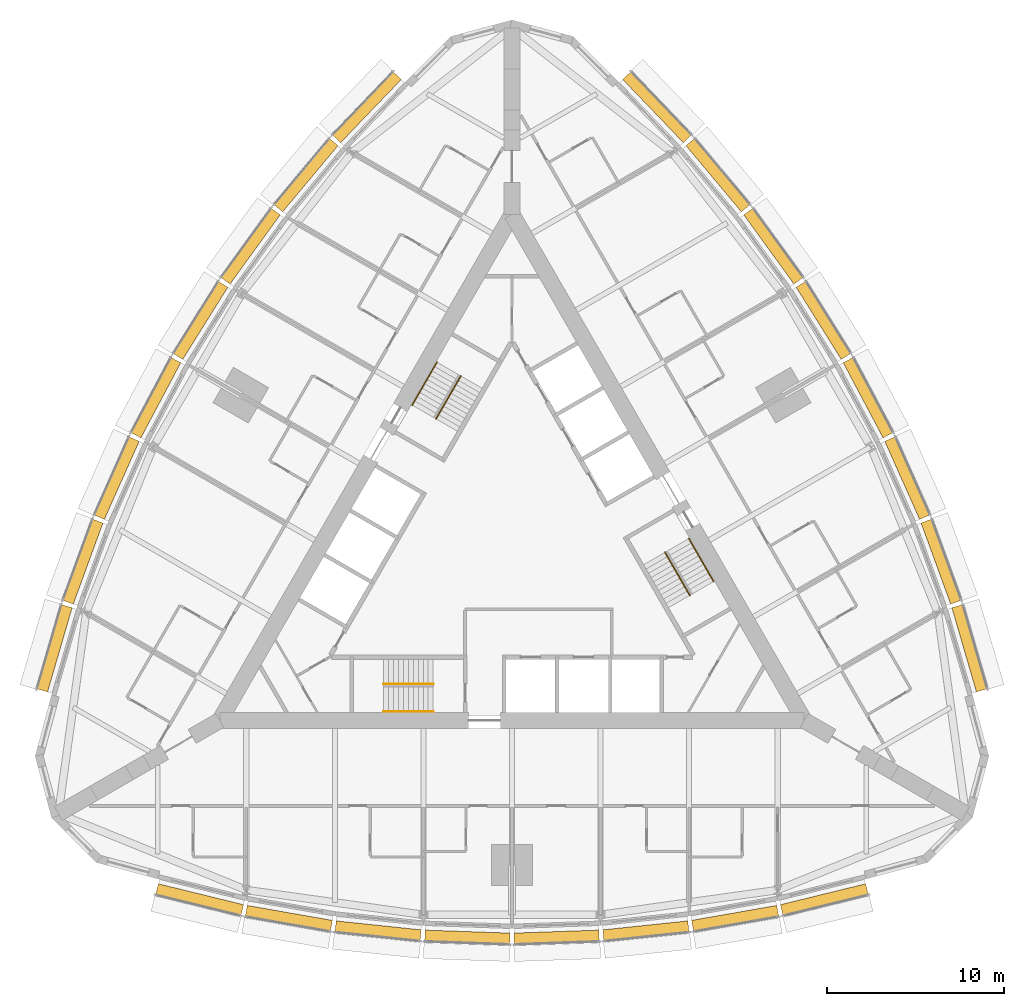
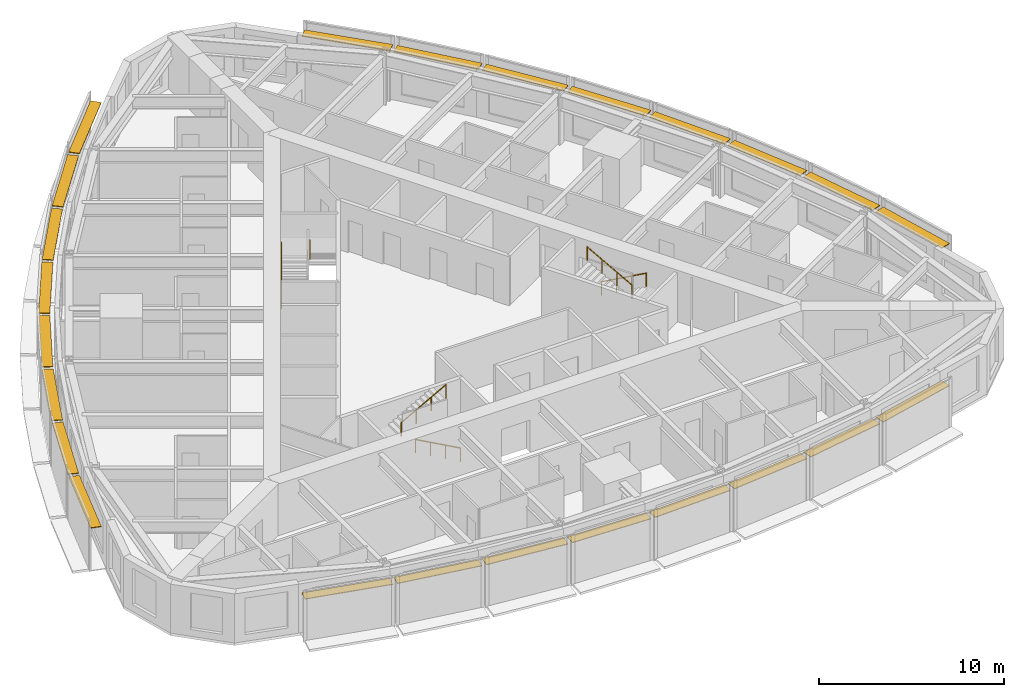
# One storey, part 14 of 14: 24 shading devices, 6 railings.
"""IFC4 building model written with IfcOpenShell, lengths in metres."""

from ifc_helpers import new_model, si_unit, direction, frame, origin, origin_2d, place, context, subcontext, project, spatial, rectangle, circle, extrude, material, type_object, element, save


model = new_model("IFC4")

# Units and contexts
model_context = context("Model", 3, precision=1e-05, world=origin(), true_north=direction((0.0, 1.0)))
body_context = subcontext(model_context, "Body", "Model", "MODEL_VIEW")
ifc_project = project(units=[si_unit("LENGTHUNIT", "METRE"), si_unit("AREAUNIT", "SQUARE_METRE"), si_unit("VOLUMEUNIT", "CUBIC_METRE"), si_unit("PLANEANGLEUNIT", "RADIAN"), si_unit("MASSUNIT", "GRAM", prefix="KILO")], contexts=[model_context])

# Site, building, storey
site_placement = place(None, origin())
site = spatial("IfcSite", under=ifc_project, at=site_placement, CompositionType="ELEMENT")
building_placement = place(site_placement, origin())
building = spatial("IfcBuilding", under=site, at=building_placement, Name="Trikona Tower", CompositionType="ELEMENT")
storey_placement = place(building_placement, frame((0.0, 0.0, 131.699951171875)))
storey = spatial("IfcBuildingStorey", under=building, at=storey_placement, Name="L34", CompositionType="ELEMENT", Elevation=131.699951171875)

# Shading devices
ifc_material_1 = material(Name="Aluminium louvre blade, pale anodised", Category="aluminium")
shading_device_type = type_object("IfcShadingDeviceType", Name="Cavity louvre 600", PredefinedType="USERDEFINED", material=ifc_material_1)
shading_device_1_placement = place(storey_placement, frame((-17.63330078125, -19.631591796875, 2.77490234375), z_axis=(0.0, 0.0, 1.0), x_axis=(0.971274411564, -0.237962218516, 0.0)))
element("IfcShadingDevice", 1, at=shading_device_1_placement, inside=storey, type_object=shading_device_type, Name="Cavity louvre L34-00", ObjectType="LOUVRE", PredefinedType="USERDEFINED", context=body_context, shape_type="SweptSolid", body=[
    extrude(rectangle(XDim=4.947998046875, YDim=0.60009765625, at=origin_2d()), origin(), (0.0, 0.0, 1.0), 0.050048828125),
])
shading_device_2_placement = place(storey_placement, frame((-12.596435546875, -20.689208984375, 2.77490234375), z_axis=(0.0, 0.0, 1.0), x_axis=(0.985030604067, -0.172379549401, 0.0)))
element("IfcShadingDevice", 2, at=shading_device_2_placement, inside=storey, type_object=shading_device_type, Name="Cavity louvre L34-01", ObjectType="LOUVRE", PredefinedType="USERDEFINED", context=body_context, shape_type="SweptSolid", body=[
    extrude(rectangle(XDim=4.8759765625, YDim=0.60009765625, at=origin_2d()), origin(), (0.0, 0.0, 1.0), 0.050048828125),
])
shading_device_3_placement = place(storey_placement, frame((-7.55859375, -21.39453125, 2.77490234375), z_axis=(0.0, 0.0, 1.0), x_axis=(0.994532653854, -0.104426052392, 0.0)))
element("IfcShadingDevice", 3, at=shading_device_3_placement, inside=storey, type_object=shading_device_type, Name="Cavity louvre L34-02", ObjectType="LOUVRE", PredefinedType="USERDEFINED", context=body_context, shape_type="SweptSolid", body=[
    extrude(rectangle(XDim=4.827392578125, YDim=0.60009765625, at=origin_2d()), origin(), (0.0, 0.0, 1.0), 0.050048828125),
])
for number, where, z_axis, x_axis, name in (
    (4, (-2.51953125, -21.747314453125, 2.77490234375), (0.0, 0.0, 1.0), (0.999388082937, -0.034977988567, 0.0), "Cavity louvre L34-03"),
    (5, (2.51953125, -21.747314453125, 2.77490234375), (0.0, 0.0, 1.0), (0.999388082937, 0.034977988567, 0.0), "Cavity louvre L34-04"),
):
    element("IfcShadingDevice", number, at=place(storey_placement, frame(where, z_axis=z_axis, x_axis=x_axis)), inside=storey, type_object=shading_device_type, Name=name, ObjectType="LOUVRE", PredefinedType="USERDEFINED", context=body_context, shape_type="SweptSolid", body=[
        extrude(rectangle(XDim=4.802978515625, YDim=0.60009765625, at=origin_2d()), origin(), (0.0, 0.0, 1.0), 0.050048828125),
    ])
shading_device_4_placement = place(storey_placement, frame((7.55859375, -21.39453125, 2.77490234375), z_axis=(0.0, 0.0, 1.0), x_axis=(0.994532653854, 0.104426052392, 0.0)))
element("IfcShadingDevice", 6, at=shading_device_4_placement, inside=storey, type_object=shading_device_type, Name="Cavity louvre L34-05", ObjectType="LOUVRE", PredefinedType="USERDEFINED", context=body_context, shape_type="SweptSolid", body=[
    extrude(rectangle(XDim=4.827392578125, YDim=0.60009765625, at=origin_2d()), origin(), (0.0, 0.0, 1.0), 0.050048828125),
])
shading_device_5_placement = place(storey_placement, frame((12.596435546875, -20.689208984375, 2.77490234375), z_axis=(0.0, 0.0, 1.0), x_axis=(0.985030604067, 0.172379549401, 0.0)))
element("IfcShadingDevice", 7, at=shading_device_5_placement, inside=storey, type_object=shading_device_type, Name="Cavity louvre L34-06", ObjectType="LOUVRE", PredefinedType="USERDEFINED", context=body_context, shape_type="SweptSolid", body=[
    extrude(rectangle(XDim=4.8759765625, YDim=0.60009765625, at=origin_2d()), origin(), (0.0, 0.0, 1.0), 0.050048828125),
])
shading_device_6_placement = place(storey_placement, frame((17.63330078125, -19.631591796875, 2.77490234375), z_axis=(0.0, 0.0, 1.0), x_axis=(0.971274411564, 0.237962218516, 0.0)))
element("IfcShadingDevice", 8, at=shading_device_6_placement, inside=storey, type_object=shading_device_type, Name="Cavity louvre L34-07", ObjectType="LOUVRE", PredefinedType="USERDEFINED", context=body_context, shape_type="SweptSolid", body=[
    extrude(rectangle(XDim=4.947998046875, YDim=0.60009765625, at=origin_2d()), origin(), (0.0, 0.0, 1.0), 0.050048828125),
])
shading_device_7_placement = place(storey_placement, frame((25.818115234375, -5.455078125, 2.77490234375), z_axis=(0.0, 0.0, 1.0), x_axis=(-0.279554203664, 0.960129911634, 0.0)))
element("IfcShadingDevice", 9, at=shading_device_7_placement, inside=storey, type_object=shading_device_type, Name="Cavity louvre L34-12", ObjectType="LOUVRE", PredefinedType="USERDEFINED", context=body_context, shape_type="SweptSolid", body=[
    extrude(rectangle(XDim=4.94775390625, YDim=0.60009765625, at=origin_2d()), origin(), (0.0, 0.0, 1.0), 0.050048828125),
])
shading_device_8_placement = place(storey_placement, frame((24.2158203125, -0.564208984375, 2.77490234375), z_axis=(0.0, 0.0, 1.0), x_axis=(-0.343220397324, 0.939254895575, 0.0)))
element("IfcShadingDevice", 10, at=shading_device_8_placement, inside=storey, type_object=shading_device_type, Name="Cavity louvre L34-13", ObjectType="LOUVRE", PredefinedType="USERDEFINED", context=body_context, shape_type="SweptSolid", body=[
    extrude(rectangle(XDim=4.8759765625, YDim=0.60009765625, at=origin_2d()), origin(), (0.0, 0.0, 1.0), 0.050048828125),
])
shading_device_9_placement = place(storey_placement, frame((22.3076171875, 4.151611328125, 2.77490234375), z_axis=(0.0, 0.0, 1.0), x_axis=(-0.406843467615, 0.913497888809, 0.0)))
element("IfcShadingDevice", 11, at=shading_device_9_placement, inside=storey, type_object=shading_device_type, Name="Cavity louvre L34-14", ObjectType="LOUVRE", PredefinedType="USERDEFINED", context=body_context, shape_type="SweptSolid", body=[
    extrude(rectangle(XDim=4.827392578125, YDim=0.60009765625, at=origin_2d()), origin(), (0.0, 0.0, 1.0), 0.050048828125),
])
for number, where, z_axis, x_axis, name in (
    (12, (20.093505859375, 8.691650390625, 2.77490234375), (0.0, 0.0, 1.0), (-0.469397591494, 0.882986920118, 0.0), "Cavity louvre L34-15"),
    (13, (17.573974609375, 13.0556640625, 2.77490234375), (0.0, 0.0, 1.0), (-0.529994748414, 0.848000923734, 0.0), "Cavity louvre L34-16"),
):
    element("IfcShadingDevice", number, at=place(storey_placement, frame(where, z_axis=z_axis, x_axis=x_axis)), inside=storey, type_object=shading_device_type, Name=name, ObjectType="LOUVRE", PredefinedType="USERDEFINED", context=body_context, shape_type="SweptSolid", body=[
        extrude(rectangle(XDim=4.802978515625, YDim=0.60009765625, at=origin_2d()), origin(), (0.0, 0.0, 1.0), 0.050048828125),
    ])
shading_device_10_placement = place(storey_placement, frame((14.7490234375, 17.2431640625, 2.77490234375), z_axis=(0.0, 0.0, 1.0), x_axis=(-0.587686407834, 0.809088799853, 0.0)))
element("IfcShadingDevice", 14, at=shading_device_10_placement, inside=storey, type_object=shading_device_type, Name="Cavity louvre L34-17", ObjectType="LOUVRE", PredefinedType="USERDEFINED", context=body_context, shape_type="SweptSolid", body=[
    extrude(rectangle(XDim=4.827392578125, YDim=0.60009765625, at=origin_2d()), origin(), (0.0, 0.0, 1.0), 0.050048828125),
])
shading_device_11_placement = place(storey_placement, frame((11.619140625, 21.253662109375, 2.77490234375), z_axis=(0.0, 0.0, 1.0), x_axis=(-0.641807063101, 0.766866151133, 0.0)))
element("IfcShadingDevice", 15, at=shading_device_11_placement, inside=storey, type_object=shading_device_type, Name="Cavity louvre L34-18", ObjectType="LOUVRE", PredefinedType="USERDEFINED", context=body_context, shape_type="SweptSolid", body=[
    extrude(rectangle(XDim=4.8759765625, YDim=0.60009765625, at=origin_2d()), origin(), (0.0, 0.0, 1.0), 0.050048828125),
])
for number, where, z_axis, x_axis, name in (
    (16, (8.184814453125, 25.086669921875, 2.77490234375), (0.0, 0.0, 1.0), (-0.691723573819, 0.722162376078, 0.0), "Cavity louvre L34-19"),
    (17, (-8.184814453125, 25.086669921875, 2.77490234375), (0.0, 0.0, 1.0), (-0.691723573819, -0.722162376078, 0.0), "Cavity louvre L34-24"),
):
    element("IfcShadingDevice", number, at=place(storey_placement, frame(where, z_axis=z_axis, x_axis=x_axis)), inside=storey, type_object=shading_device_type, Name=name, ObjectType="LOUVRE", PredefinedType="USERDEFINED", context=body_context, shape_type="SweptSolid", body=[
        extrude(rectangle(XDim=4.947998046875, YDim=0.60009765625, at=origin_2d()), origin(), (0.0, 0.0, 1.0), 0.050048828125),
    ])
shading_device_12_placement = place(storey_placement, frame((-11.619140625, 21.253662109375, 2.77490234375), z_axis=(0.0, 0.0, 1.0), x_axis=(-0.641807063101, -0.766866151133, 0.0)))
element("IfcShadingDevice", 18, at=shading_device_12_placement, inside=storey, type_object=shading_device_type, Name="Cavity louvre L34-25", ObjectType="LOUVRE", PredefinedType="USERDEFINED", context=body_context, shape_type="SweptSolid", body=[
    extrude(rectangle(XDim=4.8759765625, YDim=0.60009765625, at=origin_2d()), origin(), (0.0, 0.0, 1.0), 0.050048828125),
])
shading_device_13_placement = place(storey_placement, frame((-14.7490234375, 17.2431640625, 2.77490234375), z_axis=(0.0, 0.0, 1.0), x_axis=(-0.587686407834, -0.809088799853, 0.0)))
element("IfcShadingDevice", 19, at=shading_device_13_placement, inside=storey, type_object=shading_device_type, Name="Cavity louvre L34-26", ObjectType="LOUVRE", PredefinedType="USERDEFINED", context=body_context, shape_type="SweptSolid", body=[
    extrude(rectangle(XDim=4.827392578125, YDim=0.60009765625, at=origin_2d()), origin(), (0.0, 0.0, 1.0), 0.050048828125),
])
for number, where, z_axis, x_axis, name in (
    (20, (-17.573974609375, 13.0556640625, 2.77490234375), (0.0, 0.0, 1.0), (-0.529994748414, -0.848000923734, 0.0), "Cavity louvre L34-27"),
    (21, (-20.093505859375, 8.691650390625, 2.77490234375), (0.0, 0.0, 1.0), (-0.469397591494, -0.882986920118, 0.0), "Cavity louvre L34-28"),
):
    element("IfcShadingDevice", number, at=place(storey_placement, frame(where, z_axis=z_axis, x_axis=x_axis)), inside=storey, type_object=shading_device_type, Name=name, ObjectType="LOUVRE", PredefinedType="USERDEFINED", context=body_context, shape_type="SweptSolid", body=[
        extrude(rectangle(XDim=4.802978515625, YDim=0.60009765625, at=origin_2d()), origin(), (0.0, 0.0, 1.0), 0.050048828125),
    ])
shading_device_14_placement = place(storey_placement, frame((-22.3076171875, 4.151611328125, 2.77490234375), z_axis=(0.0, 0.0, 1.0), x_axis=(-0.406843467615, -0.913497888809, 0.0)))
element("IfcShadingDevice", 22, at=shading_device_14_placement, inside=storey, type_object=shading_device_type, Name="Cavity louvre L34-29", ObjectType="LOUVRE", PredefinedType="USERDEFINED", context=body_context, shape_type="SweptSolid", body=[
    extrude(rectangle(XDim=4.827392578125, YDim=0.60009765625, at=origin_2d()), origin(), (0.0, 0.0, 1.0), 0.050048828125),
])
shading_device_15_placement = place(storey_placement, frame((-24.2158203125, -0.564208984375, 2.77490234375), z_axis=(0.0, 0.0, 1.0), x_axis=(-0.343220397324, -0.939254895575, 0.0)))
element("IfcShadingDevice", 23, at=shading_device_15_placement, inside=storey, type_object=shading_device_type, Name="Cavity louvre L34-30", ObjectType="LOUVRE", PredefinedType="USERDEFINED", context=body_context, shape_type="SweptSolid", body=[
    extrude(rectangle(XDim=4.8759765625, YDim=0.60009765625, at=origin_2d()), origin(), (0.0, 0.0, 1.0), 0.050048828125),
])
shading_device_16_placement = place(storey_placement, frame((-25.818115234375, -5.455078125, 2.77490234375), z_axis=(0.0, 0.0, 1.0), x_axis=(-0.279554203664, -0.960129911634, 0.0)))
element("IfcShadingDevice", 24, at=shading_device_16_placement, inside=storey, type_object=shading_device_type, Name="Cavity louvre L34-31", ObjectType="LOUVRE", PredefinedType="USERDEFINED", context=body_context, shape_type="SweptSolid", body=[
    extrude(rectangle(XDim=4.94775390625, YDim=0.60009765625, at=origin_2d()), origin(), (0.0, 0.0, 1.0), 0.050048828125),
])

# Railings
ifc_material_2 = material(Name="Stainless steel handrail", Category="steel")
railing_type = type_object("IfcRailingType", Name="Stair handrail", PredefinedType="HANDRAIL", material=ifc_material_2)
railing_1_placement = place(storey_placement, frame((-4.449951171875, -9.016357421875, 0.154541015625)))
element("IfcRailing", 25, at=railing_1_placement, inside=storey, type_object=railing_type, Name="Stair handrail A L34 1", PredefinedType="HANDRAIL", context=body_context, shape_type="SweptSolid", body=[
    extrude(circle(Radius=0.02392578125, at=origin_2d()), frame((0.0, 0.0, 0.8759765625), z_axis=(-0.875504190374, 0.0, 0.483210526207), x_axis=(0.0, -1.0, 0.0)), (0.0, 0.0, 1.0), 3.1982421875),
    extrude(circle(Radius=0.02099609375, at=origin_2d()), origin(), (0.0, 0.0, 1.0), 0.851806640625),
    extrude(circle(Radius=0.02099609375, at=origin_2d()), frame((-0.933349609375, 0.0, 0.51513671875)), (0.0, 0.0, 1.0), 0.851806640625),
    extrude(circle(Radius=0.02099609375, at=origin_2d()), frame((-1.86669921875, 0.0, 1.0302734375)), (0.0, 0.0, 1.0), 0.851806640625),
    extrude(circle(Radius=0.02099609375, at=origin_2d()), frame((-2.800048828125, 0.0, 1.54541015625)), (0.0, 0.0, 1.0), 0.851806640625),
])
railing_2_placement = place(storey_placement, frame((-7.25, -7.46630859375, 1.8544921875)))
element("IfcRailing", 26, at=railing_2_placement, inside=storey, type_object=railing_type, Name="Stair handrail A L34 2", PredefinedType="HANDRAIL", context=body_context, shape_type="SweptSolid", body=[
    extrude(circle(Radius=0.02392578125, at=origin_2d()), frame((0.0, 0.0, 0.8759765625), z_axis=(0.875471895205, 0.0, 0.483269035534), x_axis=(0.0, 1.0, 0.0)), (0.0, 0.0, 1.0), 3.1982421875),
    extrude(circle(Radius=0.02099609375, at=origin_2d()), origin(), (0.0, 0.0, 1.0), 0.851806640625),
    extrude(circle(Radius=0.02099609375, at=origin_2d()), frame((0.933349609375, 0.0, 0.51513671875)), (0.0, 0.0, 1.0), 0.851806640625),
    extrude(circle(Radius=0.02099609375, at=origin_2d()), frame((1.86669921875, 0.0, 1.030517578125)), (0.0, 0.0, 1.0), 0.851806640625),
    extrude(circle(Radius=0.02099609375, at=origin_2d()), frame((2.800048828125, 0.0, 1.545654296875)), (0.0, 0.0, 1.0), 0.851806640625),
])
railing_3_placement = place(storey_placement, frame((9.9833984375, 0.740966796875, 0.154541015625)))
element("IfcRailing", 27, at=railing_3_placement, inside=storey, type_object=railing_type, Name="Stair handrail B L34 1", PredefinedType="HANDRAIL", context=body_context, shape_type="SweptSolid", body=[
    extrude(circle(Radius=0.02392578125, at=origin_2d()), frame((0.0, 0.0, 0.8759765625), z_axis=(0.437707188162, -0.758239536103, 0.483203087036), x_axis=(0.866056369097, 0.49994636267, 0.0)), (0.0, 0.0, 1.0), 3.1982421875),
    extrude(circle(Radius=0.02099609375, at=origin_2d()), origin(), (0.0, 0.0, 1.0), 0.851806640625),
    extrude(circle(Radius=0.02099609375, at=origin_2d()), frame((0.466552734375, -0.808349609375, 0.51513671875)), (0.0, 0.0, 1.0), 0.851806640625),
    extrude(circle(Radius=0.02099609375, at=origin_2d()), frame((0.933349609375, -1.61669921875, 1.0302734375)), (0.0, 0.0, 1.0), 0.851806640625),
    extrude(circle(Radius=0.02099609375, at=origin_2d()), frame((1.39990234375, -2.425048828125, 1.54541015625)), (0.0, 0.0, 1.0), 0.851806640625),
])
railing_4_placement = place(storey_placement, frame((10.041015625, -2.458984375, 1.8544921875)))
element("IfcRailing", 28, at=railing_4_placement, inside=storey, type_object=railing_type, Name="Stair handrail B L34 2", PredefinedType="HANDRAIL", context=body_context, shape_type="SweptSolid", body=[
    extrude(circle(Radius=0.02392578125, at=origin_2d()), frame((0.0, 0.0, 0.8759765625), z_axis=(-0.437691042731, 0.758211567396, 0.483261596012), x_axis=(-0.866056369097, -0.49994636267, 0.0)), (0.0, 0.0, 1.0), 3.198486328125),
    extrude(circle(Radius=0.02099609375, at=origin_2d()), origin(), (0.0, 0.0, 1.0), 0.851806640625),
    extrude(circle(Radius=0.02099609375, at=origin_2d()), frame((-0.466552734375, 0.808349609375, 0.51513671875)), (0.0, 0.0, 1.0), 0.851806640625),
    extrude(circle(Radius=0.02099609375, at=origin_2d()), frame((-0.933349609375, 1.61669921875, 1.030517578125)), (0.0, 0.0, 1.0), 0.851806640625),
    extrude(circle(Radius=0.02099609375, at=origin_2d()), frame((-1.39990234375, 2.425048828125, 1.545654296875)), (0.0, 0.0, 1.0), 0.851806640625),
])
railing_5_placement = place(storey_placement, frame((-5.63330078125, 8.275390625, 0.154541015625)))
element("IfcRailing", 29, at=railing_5_placement, inside=storey, type_object=railing_type, Name="Stair handrail C L34 1", PredefinedType="HANDRAIL", context=body_context, shape_type="SweptSolid", body=[
    extrude(circle(Radius=0.02392578125, at=origin_2d()), frame((0.0, 0.0, 0.8759765625), z_axis=(0.437732523806, 0.758207085183, 0.483231056102), x_axis=(-0.866034573852, 0.49998411664, 0.0)), (0.0, 0.0, 1.0), 3.197998046875),
    extrude(circle(Radius=0.02099609375, at=origin_2d()), origin(), (0.0, 0.0, 1.0), 0.851806640625),
    extrude(circle(Radius=0.02099609375, at=origin_2d()), frame((0.466552734375, 0.808349609375, 0.51513671875)), (0.0, 0.0, 1.0), 0.851806640625),
    extrude(circle(Radius=0.02099609375, at=origin_2d()), frame((0.933349609375, 1.616455078125, 1.0302734375)), (0.0, 0.0, 1.0), 0.851806640625),
    extrude(circle(Radius=0.02099609375, at=origin_2d()), frame((1.39990234375, 2.4248046875, 1.54541015625)), (0.0, 0.0, 1.0), 0.851806640625),
])
railing_6_placement = place(storey_placement, frame((-2.89111328125, 9.92529296875, 1.8544921875)))
element("IfcRailing", 30, at=railing_6_placement, inside=storey, type_object=railing_type, Name="Stair handrail C L34 2", PredefinedType="HANDRAIL", context=body_context, shape_type="SweptSolid", body=[
    extrude(circle(Radius=0.02392578125, at=origin_2d()), frame((0.0, 0.0, 0.8759765625), z_axis=(-0.437691042731, -0.758211567396, 0.483261596012), x_axis=(0.866056369097, -0.49994636267, 0.0)), (0.0, 0.0, 1.0), 3.198486328125),
    extrude(circle(Radius=0.02099609375, at=origin_2d()), origin(), (0.0, 0.0, 1.0), 0.851806640625),
    extrude(circle(Radius=0.02099609375, at=origin_2d()), frame((-0.466552734375, -0.808349609375, 0.51513671875)), (0.0, 0.0, 1.0), 0.851806640625),
    extrude(circle(Radius=0.02099609375, at=origin_2d()), frame((-0.933349609375, -1.61669921875, 1.030517578125)), (0.0, 0.0, 1.0), 0.851806640625),
    extrude(circle(Radius=0.02099609375, at=origin_2d()), frame((-1.39990234375, -2.425048828125, 1.545654296875)), (0.0, 0.0, 1.0), 0.851806640625),
])

save(model, "model.ifc")
